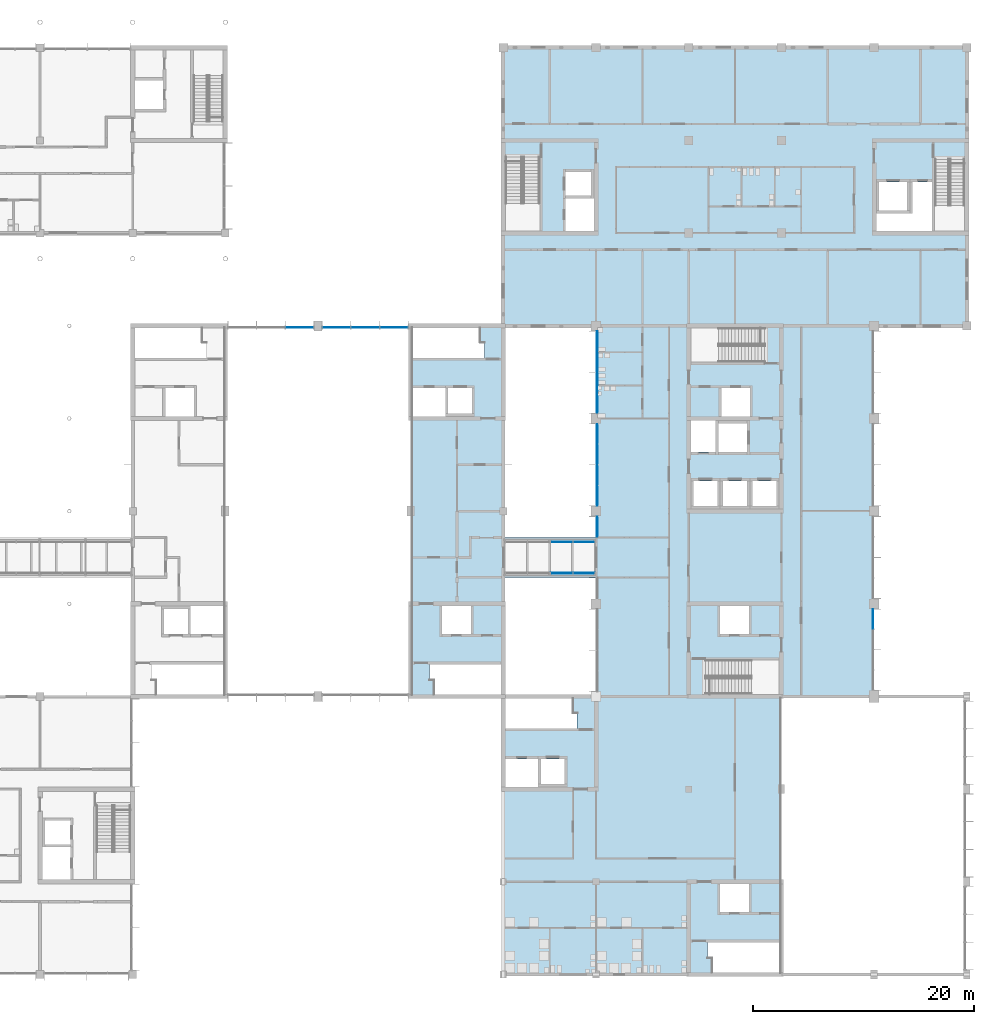
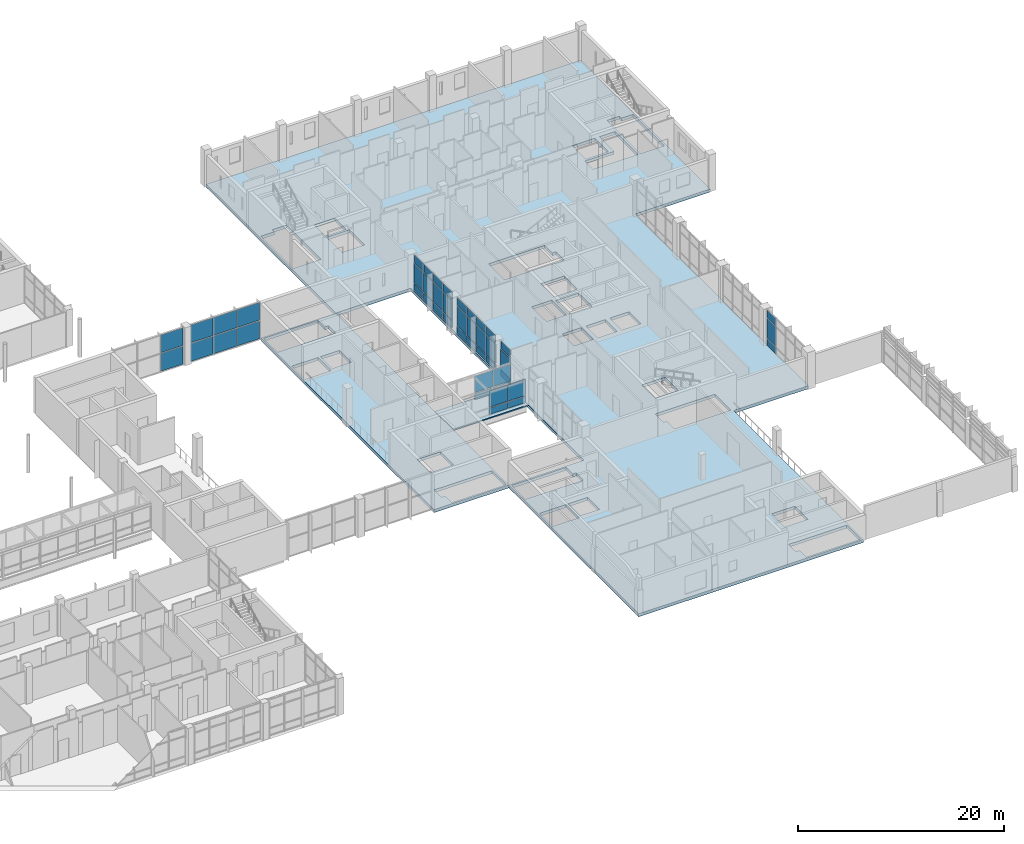
# One storey, part 28 of 70: 46 plates, 3 slabs, 8 elements without a shape of their own.
"""IFC4 building model written with IfcOpenShell, lengths in metres."""

import ifcopenshell
import ifcopenshell.guid

model = None  # the IFC model being written
_history = None  # IfcOwnerHistory: only IFC2X3 demands one
_inside = {}  # id of a spatial element -> (the spatial element, [elements in it])
_under = {}  # id of a project, library or spatial element -> (it, [spatial elements below it])
_declared = {}  # id of a project -> (the project, [libraries it declares])
_typed = {}  # id of a type object -> (the type object, [elements of that type])
_made_of = {}  # id of a material, layer set ... -> (it, [elements and type objects made of it])


def new_model(schema):
    """Start an empty IFC model of exactly this schema.

    Asked for "IFC4X3", IfcOpenShell would pick the latest addendum, in which some entities
    have other attributes; the version numbers below select the first issue.
    IFC2X3 requires an IfcOwnerHistory on every rooted entity: one is made here for all.
    """
    global model, _history
    if schema == "IFC4X3":
        model = ifcopenshell.file(schema_version=(4, 3, 0, 0))
    else:
        model = ifcopenshell.file(schema=schema)
    _inside.clear()
    _under.clear()
    _declared.clear()
    _typed.clear()
    _made_of.clear()
    _history = None
    if model.schema == "IFC2X3":
        org = make("IfcOrganization", Name="unknown")
        user = make(
            "IfcPersonAndOrganization",
            ThePerson=make("IfcPerson", FamilyName="unknown"),
            TheOrganization=org,
        )
        app = make(
            "IfcApplication",
            ApplicationDeveloper=org,
            Version="unknown",
            ApplicationFullName="unknown",
            ApplicationIdentifier="unknown",
        )
        _history = make(
            "IfcOwnerHistory",
            OwningUser=user,
            OwningApplication=app,
            ChangeAction="ADDED",
            CreationDate=0,
        )
    return model


def make(cls, **values):
    """One entity of the class cls with the attributes given. An attribute that is None is left unset."""
    return model.create_entity(
        cls, **{name: value for name, value in values.items() if value is not None}
    )


def rooted(cls, **values):
    """An entity with a GlobalId (a new one), such as an element, a storey or a relation."""
    return make(cls, GlobalId=ifcopenshell.guid.new(), OwnerHistory=_history, **values)


def si_unit(unit_type, name, prefix=None):
    """IfcSIUnit, for example si_unit("LENGTHUNIT", "METRE", prefix="MILLI")."""
    return make("IfcSIUnit", UnitType=unit_type, Prefix=prefix, Name=name)


def assignment(units):
    """IfcUnitAssignment: the units of a project."""
    return None if units is None else make("IfcUnitAssignment", Units=units)


def point(xyz):
    """IfcCartesianPoint."""
    return None if xyz is None else make("IfcCartesianPoint", Coordinates=xyz)


def direction(xyz):
    """IfcDirection."""
    return None if xyz is None else make("IfcDirection", DirectionRatios=xyz)


def frame(location, z_axis=None, x_axis=None):
    """IfcAxis2Placement3D, a coordinate frame: its origin and axes. An axis left out is left unset."""
    return make(
        "IfcAxis2Placement3D",
        Location=point(location),
        Axis=direction(z_axis),
        RefDirection=direction(x_axis),
    )


def frame_2d(location, x_axis=None):
    """IfcAxis2Placement2D, a coordinate frame in the plane: its origin and x axis."""
    return make(
        "IfcAxis2Placement2D", Location=point(location), RefDirection=direction(x_axis)
    )


def origin():
    """The frame at (0, 0, 0) with its axes left unset."""
    return frame((0.0, 0.0, 0.0))


def origin_2d():
    """The frame at (0, 0) in the plane with its x axis left unset."""
    return frame_2d((0.0, 0.0))


def place(relative_to, where):
    """IfcLocalPlacement: puts the frame where relative to a parent placement (None: the world)."""
    return make(
        "IfcLocalPlacement", PlacementRelTo=relative_to, RelativePlacement=where
    )


def context(
    kind, dimensions, precision=None, world=None, true_north=None, identifier=None
):
    """IfcGeometricRepresentationContext, for example the 3D "Model" context."""
    return make(
        "IfcGeometricRepresentationContext",
        ContextIdentifier=identifier,
        ContextType=kind,
        CoordinateSpaceDimension=dimensions,
        Precision=precision,
        WorldCoordinateSystem=world,
        TrueNorth=true_north,
    )


def subcontext(parent, identifier, kind, view, scale=None):
    """IfcGeometricRepresentationSubContext, for example "Body" below "Model"."""
    return make(
        "IfcGeometricRepresentationSubContext",
        ContextIdentifier=identifier,
        ContextType=kind,
        ParentContext=parent,
        TargetScale=scale,
        TargetView=view,
    )


def project(units=None, contexts=None):
    """IfcProject with its units and contexts."""
    return rooted(
        "IfcProject",
        Name="project",
        RepresentationContexts=contexts,
        UnitsInContext=assignment(units),
    )


def spatial(cls, under=None, at=None, **own):
    """A site, building, storey or space (cls), placed at a placement, below another one or the project."""
    s = rooted(cls, ObjectPlacement=at, **own)
    if under is not None:
        _under.setdefault(under.id(), (under, []))[1].append(s)
    return s


def polyline(points):
    """IfcPolyline through the points."""
    return make("IfcPolyline", Points=[point(p) for p in points])


def profile(cls, at=None, kind="AREA", **sizes):
    """A parametric profile (cls). Its sizes go by their IFC names, for example OverallWidth=200.0."""
    return make(cls, ProfileType=kind, Position=at, **sizes)


def rectangle(**sizes):
    """IfcRectangleProfileDef."""
    return profile("IfcRectangleProfileDef", **sizes)


def outline(outer, holes=None, kind="AREA"):
    """IfcArbitraryClosedProfileDef: a profile drawn as a closed curve; with holes, ...WithVoids."""
    if holes is None:
        return make("IfcArbitraryClosedProfileDef", ProfileType=kind, OuterCurve=outer)
    return make(
        "IfcArbitraryProfileDefWithVoids",
        ProfileType=kind,
        OuterCurve=outer,
        InnerCurves=holes,
    )


def extrude(swept, where, along, depth):
    """IfcExtrudedAreaSolid: the profile swept, set in the frame where, extruded along a direction by depth."""
    return make(
        "IfcExtrudedAreaSolid",
        SweptArea=swept,
        Position=where,
        ExtrudedDirection=direction(along),
        Depth=depth,
    )


def shape(context_of_items, identifier, shape_type, items):
    """IfcShapeRepresentation: the items that make up one representation, for example the "Body"."""
    return make(
        "IfcShapeRepresentation",
        ContextOfItems=context_of_items,
        RepresentationIdentifier=identifier,
        RepresentationType=shape_type,
        Items=items,
    )


def material(Name=None, Category=None):
    """IfcMaterial."""
    return make("IfcMaterial", Name=Name, Category=Category)


def layer(
    of_material, thickness, ventilated=None, Name=None, Category=None, Priority=None
):
    """IfcMaterialLayer: one layer of a wall or slab, of a material (None: an air gap)."""
    return make(
        "IfcMaterialLayer",
        Material=of_material,
        LayerThickness=thickness,
        IsVentilated=ventilated,
        Name=Name,
        Category=Category,
        Priority=Priority,
    )


def layer_set(layers, Name=None):
    """IfcMaterialLayerSet."""
    return make("IfcMaterialLayerSet", MaterialLayers=layers, LayerSetName=Name)


def made_of(thing, what):
    """Note that an element or type object is made of a material, layer set ...; save() writes the relation."""
    if what is not None:
        _made_of.setdefault(what.id(), (what, []))[1].append(thing)
    return thing


def type_object(cls, material=None, **own):
    """A type object (cls), such as IfcWallType, which elements share."""
    return made_of(rooted(cls, **own), material)


def element(
    cls,
    number,
    at=None,
    inside=None,
    cuts=None,
    type_object=None,
    material=None,
    context=None,
    identifier="Body",
    shape_type=None,
    held_by="IfcProductDefinitionShape",
    body=None,
    shapes=None,
    **own,
):
    """One element of the class cls, such as IfcWall. Its Tag is "e" and its number.

    at: its placement. inside: the storey or other place that contains it. cuts: it is an
    opening in that element (IfcRelVoidsElement). A single representation is given by context,
    identifier, shape_type and body (its items); several are given by shapes. held_by: the class
    of the entity that holds the representations. save() writes the other relations.
    """
    e = rooted(cls, Tag="e%d" % number, ObjectPlacement=at, **own)
    if body is not None:
        shapes = [shape(context, identifier, shape_type, body)]
    if shapes is not None:
        e.Representation = make(held_by, Representations=shapes)
    if inside is not None:
        _inside.setdefault(inside.id(), (inside, []))[1].append(e)
    if cuts is not None:
        rooted(
            "IfcRelVoidsElement", RelatingBuildingElement=cuts, RelatedOpeningElement=e
        )
    if type_object is not None:
        _typed.setdefault(type_object.id(), (type_object, []))[1].append(e)
    return made_of(e, material)


def aggregate(whole, parts):
    """IfcRelAggregates: a whole, such as a stair, and the parts it consists of."""
    return rooted("IfcRelAggregates", RelatingObject=whole, RelatedObjects=parts)


def save(model, path):
    """Write the relations noted so far, then the file.

    IfcRelAggregates (storeys below a building ...), IfcRelContainedInSpatialStructure (elements
    in a storey), IfcRelDefinesByType, IfcRelAssociatesMaterial and IfcRelDeclares: one each for
    every whole, place, type object, material and project.
    """
    for whole, parts in _under.values():
        aggregate(whole, parts)
    for where, things in _inside.values():
        rooted(
            "IfcRelContainedInSpatialStructure",
            RelatedElements=things,
            RelatingStructure=where,
        )
    for kind, things in _typed.values():
        rooted("IfcRelDefinesByType", RelatedObjects=things, RelatingType=kind)
    for what, things in _made_of.values():
        rooted("IfcRelAssociatesMaterial", RelatedObjects=things, RelatingMaterial=what)
    for by, libraries in _declared.values():
        rooted("IfcRelDeclares", RelatingContext=by, RelatedDefinitions=libraries)
    model.write(path)


model = new_model("IFC4")

# Units and contexts
model_context = context("Model", 3, precision=1e-05, world=origin(), true_north=direction((0.0, 1.0)))
body_context = subcontext(model_context, "Body", "Model", "MODEL_VIEW")
ifc_project = project(units=[si_unit("LENGTHUNIT", "METRE"), si_unit("AREAUNIT", "SQUARE_METRE"), si_unit("VOLUMEUNIT", "CUBIC_METRE"), si_unit("PLANEANGLEUNIT", "RADIAN"), si_unit("MASSUNIT", "GRAM", prefix="KILO")], contexts=[model_context])

# Site, building, storey
site_placement = place(None, origin())
site = spatial("IfcSite", under=ifc_project, at=site_placement, CompositionType="ELEMENT")
building_placement = place(site_placement, origin())
building = spatial("IfcBuilding", under=site, at=building_placement, Name="Hlaing Beacon Police Headquarters", CompositionType="ELEMENT")
storey_placement = place(building_placement, frame((0.0, 0.0, 5.39990234375)))
storey = spatial("IfcBuildingStorey", under=building, at=storey_placement, Name="L01", CompositionType="ELEMENT", Elevation=5.39990234375)

# Curtain wall, plate
ifc_material_1 = material(Name="Aluminium frame with solar control glazing", Category="aluminium")
curtain_wall_type_1 = type_object("IfcCurtainWallType", Name="Unitised curtain wall 7.40 x 4.37", PredefinedType="NOTDEFINED", material=ifc_material_1)
curtain_wall_1_placement = place(storey_placement, origin())
curtain_wall_1 = element("IfcCurtainWall", 1, at=curtain_wall_1_placement, inside=storey, type_object=curtain_wall_type_1, Name="ENV-CW-L01-E019", PredefinedType="NOTDEFINED")
ifc_material_2 = material(Name="Solar control glazing", Category="glass")
ifc_layer_1 = layer(ifc_material_2, 0.0439453125)
ifc_layer_set_1 = layer_set([ifc_layer_1], Name="Solar control glazing")
plate_type_1 = type_object("IfcPlateType", Name="Clear glazing panel 44", PredefinedType="CURTAIN_PANEL", material=ifc_layer_set_1)
plate_1_placement = place(storey_placement, frame((125.89990234375, 40.610107421875, 0.9501953125), z_axis=(0.0, 0.0, 1.0), x_axis=(0.0, 1.0, 0.0)))
plate_1 = element("IfcPlate", 2, at=plate_1_placement, type_object=plate_type_1, Name="CW-L01-E019 panel 4.2", PredefinedType="CURTAIN_PANEL", context=body_context, shape_type="SweptSolid", body=[
    extrude(rectangle(XDim=1.760009765625, YDim=0.0439453125, at=origin_2d()), origin(), (0.0, 0.0, 1.0), 2.300048828125),
])

# Curtain wall, plates
ifc_material_3 = material(Name="Aluminium frame with solar control glazing", Category="aluminium")
curtain_wall_type_2 = type_object("IfcCurtainWallType", Name="Unitised curtain wall 7.50 x 4.37", PredefinedType="NOTDEFINED", material=ifc_material_3)
curtain_wall_2_placement = place(storey_placement, origin())
curtain_wall_2 = element("IfcCurtainWall", 3, at=curtain_wall_2_placement, inside=storey, type_object=curtain_wall_type_2, Name="ENV-CW-L01-W023", PredefinedType="NOTDEFINED")
plate_2_placement = place(storey_placement, frame((100.89990234375, 63.9375, 0.9501953125), z_axis=(0.0, 0.0, 1.0), x_axis=(0.0, -1.0, 0.0)))
plate_2 = element("IfcPlate", 4, at=plate_2_placement, type_object=plate_type_1, Name="CW-L01-W023 panel 2.2", PredefinedType="CURTAIN_PANEL", context=body_context, shape_type="SweptSolid", body=[
    extrude(rectangle(XDim=1.81494140625, YDim=0.0439453125, at=origin_2d()), origin(), (0.0, 0.0, 1.0), 2.300048828125),
])
plate_3_placement = place(storey_placement, frame((100.89990234375, 60.202392578125, 0.9501953125), z_axis=(0.0, 0.0, 1.0), x_axis=(0.0, -1.0, 0.0)))
plate_3 = element("IfcPlate", 5, at=plate_3_placement, type_object=plate_type_1, Name="CW-L01-W023 panel 4.2", PredefinedType="CURTAIN_PANEL", context=body_context, shape_type="SweptSolid", body=[
    extrude(rectangle(XDim=1.784912109375, YDim=0.0439453125, at=origin_2d()), origin(), (0.0, 0.0, 1.0), 2.300048828125),
])

curtain_wall_3_placement = place(storey_placement, origin())
curtain_wall_3 = element("IfcCurtainWall", 6, at=curtain_wall_3_placement, inside=storey, type_object=curtain_wall_type_2, Name="ENV-CW-L01-W024", PredefinedType="NOTDEFINED")
plate_4_placement = place(storey_placement, frame((100.89990234375, 55.53759765625, 0.9501953125), z_axis=(0.0, 0.0, 1.0), x_axis=(0.0, -1.0, 0.0)))
plate_4 = element("IfcPlate", 7, at=plate_4_placement, type_object=plate_type_1, Name="CW-L01-W024 panel 2.2", PredefinedType="CURTAIN_PANEL", context=body_context, shape_type="SweptSolid", body=[
    extrude(rectangle(XDim=1.81494140625, YDim=0.0439453125, at=origin_2d()), origin(), (0.0, 0.0, 1.0), 2.300048828125),
])
plate_5_placement = place(storey_placement, frame((100.89990234375, 51.802490234375, 0.9501953125), z_axis=(0.0, 0.0, 1.0), x_axis=(0.0, -1.0, 0.0)))
plate_5 = element("IfcPlate", 8, at=plate_5_placement, type_object=plate_type_1, Name="CW-L01-W024 panel 4.2", PredefinedType="CURTAIN_PANEL", context=body_context, shape_type="SweptSolid", body=[
    extrude(rectangle(XDim=1.784912109375, YDim=0.0439453125, at=origin_2d()), origin(), (0.0, 0.0, 1.0), 2.300048828125),
])

ifc_material_4 = material(Name="Aluminium frame with solar control glazing", Category="aluminium")
curtain_wall_type_3 = type_object("IfcCurtainWallType", Name="Unitised curtain wall 8.20 x 3.00", PredefinedType="NOTDEFINED", material=ifc_material_4)
curtain_wall_4_placement = place(storey_placement, origin())
curtain_wall_4 = element("IfcCurtainWall", 9, at=curtain_wall_4_placement, inside=storey, type_object=curtain_wall_type_3, Name="ENV-BG-BR2-A-34", PredefinedType="NOTDEFINED")
plate_6_placement = place(storey_placement, frame((97.675048828125, 44.776123046875, 0.9501953125), z_axis=(0.0, 0.0, 1.0), x_axis=(1.0, 0.0, 0.0)))
plate_6 = element("IfcPlate", 10, at=plate_6_placement, type_object=plate_type_1, Name="BG-BR2-A-34 panel 3.2", PredefinedType="CURTAIN_PANEL", context=body_context, shape_type="SweptSolid", body=[
    extrude(rectangle(XDim=1.989990234375, YDim=0.0439453125, at=origin_2d()), origin(), (0.0, 0.0, 1.0), 1.949951171875),
])
plate_7_placement = place(storey_placement, frame((99.7099609375, 44.776123046875, 0.9501953125), z_axis=(0.0, 0.0, 1.0), x_axis=(1.0, 0.0, 0.0)))
plate_7 = element("IfcPlate", 11, at=plate_7_placement, type_object=plate_type_1, Name="BG-BR2-A-34 panel 4.2", PredefinedType="CURTAIN_PANEL", context=body_context, shape_type="SweptSolid", body=[
    extrude(rectangle(XDim=1.9599609375, YDim=0.0439453125, at=origin_2d()), origin(), (0.0, 0.0, 1.0), 1.949951171875),
])

curtain_wall_5_placement = place(storey_placement, origin())
curtain_wall_5 = element("IfcCurtainWall", 12, at=curtain_wall_5_placement, inside=storey, type_object=curtain_wall_type_3, Name="ENV-BG-BR2-B-35", PredefinedType="NOTDEFINED")
plate_8_placement = place(storey_placement, frame((97.675048828125, 47.623779296875, 0.9501953125), z_axis=(0.0, 0.0, 1.0), x_axis=(1.0, 0.0, 0.0)))
plate_8 = element("IfcPlate", 13, at=plate_8_placement, type_object=plate_type_1, Name="BG-BR2-B-35 panel 3.2", PredefinedType="CURTAIN_PANEL", context=body_context, shape_type="SweptSolid", body=[
    extrude(rectangle(XDim=1.989990234375, YDim=0.0439453125, at=origin_2d()), origin(), (0.0, 0.0, 1.0), 1.949951171875),
])
plate_9_placement = place(storey_placement, frame((99.7099609375, 47.623779296875, 0.9501953125), z_axis=(0.0, 0.0, 1.0), x_axis=(1.0, 0.0, 0.0)))
plate_9 = element("IfcPlate", 14, at=plate_9_placement, type_object=plate_type_1, Name="BG-BR2-B-35 panel 4.2", PredefinedType="CURTAIN_PANEL", context=body_context, shape_type="SweptSolid", body=[
    extrude(rectangle(XDim=1.9599609375, YDim=0.0439453125, at=origin_2d()), origin(), (0.0, 0.0, 1.0), 1.949951171875),
])

# Slabs
ifc_material_5 = material(Name="Concrete C40/50", Category="concrete")
ifc_layer_2 = layer(ifc_material_5, 0.1298828125)
ifc_layer_set_2 = layer_set([ifc_layer_2], Name="Concrete C40/50")
slab_type_1 = type_object("IfcSlabType", Name="Composite deck slab 130", PredefinedType="FLOOR", material=ifc_layer_set_2)
slab_1_placement = place(storey_placement, frame((0.0, 0.0, -0.1298828125)))
element("IfcSlab", 15, at=slab_1_placement, inside=storey, type_object=slab_type_1, Name="STR-BG-BR2-DECK", PredefinedType="FLOOR", context=body_context, shape_type="SweptSolid", body=[
    extrude(outline(polyline([(92.39990234375, 44.39990234375), (100.800048828125, 44.39990234375), (100.800048828125, 48.0), (92.39990234375, 48.0), (92.39990234375, 44.39990234375)])), origin(), (0.0, 0.0, 1.0), 0.1298828125),
])
ifc_material_6 = material(Name="Concrete C50/60", Category="concrete")
ifc_layer_3 = layer(ifc_material_6, 0.35009765625)
ifc_layer_set_3 = layer_set([ifc_layer_3], Name="Concrete C50/60")
slab_type_2 = type_object("IfcSlabType", Name="Flat slab 350", PredefinedType="FLOOR", material=ifc_layer_set_3)
slab_2_placement = place(storey_placement, frame((0.0, 0.0, -0.349853515625)))
element("IfcSlab", 16, at=slab_2_placement, inside=storey, type_object=slab_type_2, Name="STR-SLAB-L01-02", PredefinedType="FLOOR", context=body_context, shape_type="SweptSolid", body=[
    extrude(outline(polyline([(92.39990234375, 8.39990234375), (117.60009765625, 8.39990234375), (117.60009765625, 33.60009765625), (126.0, 33.60009765625), (126.0, 67.199951171875), (134.39990234375, 67.199951171875), (134.39990234375, 92.39990234375), (92.39990234375, 92.39990234375), (92.39990234375, 67.199951171875), (100.800048828125, 67.199951171875), (100.800048828125, 33.60009765625), (92.39990234375, 33.60009765625), (92.39990234375, 8.39990234375)]), holes=[polyline([(92.60009765625, 25.39990234375), (95.550048828125, 25.39990234375), (95.550048828125, 27.949951171875), (92.60009765625, 27.949951171875), (92.60009765625, 25.39990234375)]), polyline([(92.60009765625, 30.699951171875), (99.090087890625, 30.699951171875), (99.090087890625, 32.10009765625), (98.699951171875, 32.10009765625), (98.699951171875, 33.39990234375), (92.60009765625, 33.39990234375), (92.60009765625, 30.699951171875)]), polyline([(92.60009765625, 75.800048828125), (95.699951171875, 75.800048828125), (95.699951171875, 82.489990234375), (94.10009765625, 82.489990234375), (94.10009765625, 82.10009765625), (92.60009765625, 82.10009765625), (92.60009765625, 75.800048828125)]), polyline([(95.800048828125, 25.64990234375), (97.949951171875, 25.64990234375), (97.949951171875, 27.949951171875), (95.800048828125, 27.949951171875), (95.800048828125, 25.64990234375)]), polyline([(98.050048828125, 75.800048828125), (100.60009765625, 75.800048828125), (100.60009765625, 78.75), (98.050048828125, 78.75), (98.050048828125, 75.800048828125)]), polyline([(98.050048828125, 79.0), (100.35009765625, 79.0), (100.35009765625, 81.14990234375), (98.050048828125, 81.14990234375), (98.050048828125, 79.0)]), polyline([(109.39990234375, 55.75), (111.64990234375, 55.75), (111.64990234375, 58.60009765625), (109.39990234375, 58.60009765625), (109.39990234375, 55.75)]), polyline([(109.39990234375, 63.89990234375), (116.090087890625, 63.89990234375), (116.090087890625, 65.5), (115.699951171875, 65.5), (115.699951171875, 67.0), (109.39990234375, 67.0), (109.39990234375, 63.89990234375)]), polyline([(109.64990234375, 50.85009765625), (111.800048828125, 50.85009765625), (111.800048828125, 53.14990234375), (109.64990234375, 53.14990234375), (109.64990234375, 50.85009765625)]), polyline([(111.10009765625, 33.800048828125), (117.39990234375, 33.800048828125), (117.39990234375, 36.89990234375), (110.7099609375, 36.89990234375), (110.7099609375, 35.300048828125), (111.10009765625, 35.300048828125), (111.10009765625, 33.800048828125)]), polyline([(111.300048828125, 8.60009765625), (117.39990234375, 8.60009765625), (117.39990234375, 11.300048828125), (110.909912109375, 11.300048828125), (110.909912109375, 9.89990234375), (111.300048828125, 9.89990234375), (111.300048828125, 8.60009765625)]), polyline([(111.89990234375, 55.75), (114.5, 55.75), (114.5, 58.35009765625), (111.89990234375, 58.35009765625), (111.89990234375, 55.75)]), polyline([(112.050048828125, 14.050048828125), (114.64990234375, 14.050048828125), (114.64990234375, 16.60009765625), (112.050048828125, 16.60009765625), (112.050048828125, 14.050048828125)]), polyline([(112.050048828125, 39.25), (114.64990234375, 39.25), (114.64990234375, 41.800048828125), (112.050048828125, 41.800048828125), (112.050048828125, 39.25)]), polyline([(112.14990234375, 59.0), (114.75, 59.0), (114.75, 61.550048828125), (112.14990234375, 61.550048828125), (112.14990234375, 59.0)]), polyline([(112.300048828125, 50.85009765625), (114.5, 50.85009765625), (114.5, 53.14990234375), (112.300048828125, 53.14990234375), (112.300048828125, 50.85009765625)]), polyline([(115.0, 50.85009765625), (117.14990234375, 50.85009765625), (117.14990234375, 53.14990234375), (115.0, 53.14990234375), (115.0, 50.85009765625)]), polyline([(126.199951171875, 75.800048828125), (131.25, 75.800048828125), (131.25, 80.25), (129.5, 80.25), (129.5, 77.39990234375), (126.199951171875, 77.39990234375), (126.199951171875, 75.800048828125)]), polyline([(126.449951171875, 77.64990234375), (129.0, 77.64990234375), (129.0, 80.25), (126.449951171875, 80.25), (126.449951171875, 77.64990234375)]), polyline([(131.5, 75.800048828125), (134.199951171875, 75.800048828125), (134.199951171875, 81.89990234375), (132.89990234375, 81.89990234375), (132.89990234375, 82.2900390625), (131.5, 82.2900390625), (131.5, 75.800048828125)])]), origin(), (0.0, 0.0, 1.0), 0.349853515625),
])
slab_3_placement = place(storey_placement, frame((0.0, 0.0, -0.349853515625)))
element("IfcSlab", 17, at=slab_3_placement, inside=storey, type_object=slab_type_2, Name="STR-SLAB-L01-04", PredefinedType="FLOOR", context=body_context, shape_type="SweptSolid", body=[
    extrude(outline(polyline([(84.0, 33.60009765625), (92.39990234375, 33.60009765625), (92.39990234375, 67.199951171875), (84.0, 67.199951171875), (84.0, 33.60009765625)]), holes=[polyline([(84.199951171875, 59.0), (87.14990234375, 59.0), (87.14990234375, 61.550048828125), (84.199951171875, 61.550048828125), (84.199951171875, 59.0)]), polyline([(84.199951171875, 64.300048828125), (90.68994140625, 64.300048828125), (90.68994140625, 65.699951171875), (90.300048828125, 65.699951171875), (90.300048828125, 67.0), (84.199951171875, 67.0), (84.199951171875, 64.300048828125)]), polyline([(86.10009765625, 33.800048828125), (92.199951171875, 33.800048828125), (92.199951171875, 36.5), (85.7099609375, 36.5), (85.7099609375, 35.10009765625), (86.10009765625, 35.10009765625), (86.10009765625, 33.800048828125)]), polyline([(86.85009765625, 39.25), (89.449951171875, 39.25), (89.449951171875, 41.800048828125), (86.85009765625, 41.800048828125), (86.85009765625, 39.25)]), polyline([(87.39990234375, 59.25), (89.550048828125, 59.25), (89.550048828125, 61.550048828125), (87.39990234375, 61.550048828125), (87.39990234375, 59.25)])]), origin(), (0.0, 0.0, 1.0), 0.349853515625),
])

# Plate
ifc_material_7 = material(Name="Fritted solar control glazing", Category="glass")
ifc_layer_4 = layer(ifc_material_7, 0.0439453125)
ifc_layer_set_4 = layer_set([ifc_layer_4], Name="Fritted solar control glazing")
plate_type_2 = type_object("IfcPlateType", Name="Fritted glazing panel 44", PredefinedType="CURTAIN_PANEL", material=ifc_layer_set_4)
plate_10_placement = place(storey_placement, frame((100.89990234375, 65.797607421875, 0.9501953125), z_axis=(0.0, 0.0, 1.0), x_axis=(0.0, -1.0, 0.0)))
plate_10 = element("IfcPlate", 18, at=plate_10_placement, type_object=plate_type_2, Name="CW-L01-W023 panel 1.2", PredefinedType="CURTAIN_PANEL", context=body_context, shape_type="SweptSolid", body=[
    extrude(rectangle(XDim=1.784912109375, YDim=0.0439453125, at=origin_2d()), origin(), (0.0, 0.0, 1.0), 2.300048828125),
])

plate_11_placement = place(storey_placement, frame((100.89990234375, 62.0625, 0.9501953125), z_axis=(0.0, 0.0, 1.0), x_axis=(0.0, -1.0, 0.0)))
plate_11 = element("IfcPlate", 19, at=plate_11_placement, type_object=plate_type_2, Name="CW-L01-W023 panel 3.2", PredefinedType="CURTAIN_PANEL", context=body_context, shape_type="SweptSolid", body=[
    extrude(rectangle(XDim=1.81494140625, YDim=0.0439453125, at=origin_2d()), origin(), (0.0, 0.0, 1.0), 2.300048828125),
])

plate_12_placement = place(storey_placement, frame((100.89990234375, 57.3974609375, 0.9501953125), z_axis=(0.0, 0.0, 1.0), x_axis=(0.0, -1.0, 0.0)))
plate_12 = element("IfcPlate", 20, at=plate_12_placement, type_object=plate_type_2, Name="CW-L01-W024 panel 1.2", PredefinedType="CURTAIN_PANEL", context=body_context, shape_type="SweptSolid", body=[
    extrude(rectangle(XDim=1.784912109375, YDim=0.0439453125, at=origin_2d()), origin(), (0.0, 0.0, 1.0), 2.300048828125),
])

plate_13_placement = place(storey_placement, frame((100.89990234375, 53.66259765625, 0.9501953125), z_axis=(0.0, 0.0, 1.0), x_axis=(0.0, -1.0, 0.0)))
plate_13 = element("IfcPlate", 21, at=plate_13_placement, type_object=plate_type_2, Name="CW-L01-W024 panel 3.2", PredefinedType="CURTAIN_PANEL", context=body_context, shape_type="SweptSolid", body=[
    extrude(rectangle(XDim=1.81494140625, YDim=0.0439453125, at=origin_2d()), origin(), (0.0, 0.0, 1.0), 2.300048828125),
])

# Curtain wall, plate
ifc_material_8 = material(Name="Aluminium frame with solar control glazing", Category="aluminium")
curtain_wall_type_4 = type_object("IfcCurtainWallType", Name="Unitised curtain wall 1.95 x 4.37", PredefinedType="NOTDEFINED", material=ifc_material_8)
curtain_wall_6_placement = place(storey_placement, origin())
curtain_wall_6 = element("IfcCurtainWall", 22, at=curtain_wall_6_placement, inside=storey, type_object=curtain_wall_type_4, Name="ENV-CW-L01-W025", PredefinedType="NOTDEFINED")
plate_14_placement = place(storey_placement, frame((100.89990234375, 48.97509765625, 0.9501953125), z_axis=(0.0, 0.0, 1.0), x_axis=(0.0, -1.0, 0.0)))
plate_14 = element("IfcPlate", 23, at=plate_14_placement, type_object=plate_type_2, Name="CW-L01-W025 panel 1.2", PredefinedType="CURTAIN_PANEL", context=body_context, shape_type="SweptSolid", body=[
    extrude(rectangle(XDim=1.830078125, YDim=0.0439453125, at=origin_2d()), origin(), (0.0, 0.0, 1.0), 2.300048828125),
])

# Plate
ifc_material_9 = material(Name="Insulated aluminium spandrel", Category="aluminium")
ifc_layer_5 = layer(ifc_material_9, 0.0400390625)
ifc_layer_set_5 = layer_set([ifc_layer_5], Name="Insulated aluminium spandrel")
plate_type_3 = type_object("IfcPlateType", Name="Insulated spandrel panel 40", PredefinedType="CURTAIN_PANEL", material=ifc_layer_set_5)
plate_15_placement = place(storey_placement, frame((97.675048828125, 47.623779296875, 0.10009765625), z_axis=(0.0, 0.0, 1.0), x_axis=(1.0, 0.0, 0.0)))
plate_15 = element("IfcPlate", 24, at=plate_15_placement, type_object=plate_type_3, Name="BG-BR2-B-35 panel 3.1", PredefinedType="CURTAIN_PANEL", context=body_context, shape_type="SweptSolid", body=[
    extrude(rectangle(XDim=1.989990234375, YDim=0.0400390625, at=origin_2d()), origin(), (0.0, 0.0, 1.0), 0.75),
])

plate_16_placement = place(storey_placement, frame((99.7099609375, 47.623779296875, 0.10009765625), z_axis=(0.0, 0.0, 1.0), x_axis=(1.0, 0.0, 0.0)))
plate_16 = element("IfcPlate", 25, at=plate_16_placement, type_object=plate_type_3, Name="BG-BR2-B-35 panel 4.1", PredefinedType="CURTAIN_PANEL", context=body_context, shape_type="SweptSolid", body=[
    extrude(rectangle(XDim=1.9599609375, YDim=0.0400390625, at=origin_2d()), origin(), (0.0, 0.0, 1.0), 0.75),
])

aggregate(curtain_wall_5, [plate_15, plate_8, plate_16, plate_9])

ifc_material_10 = material(Name="Insulated aluminium spandrel", Category="aluminium")
ifc_layer_6 = layer(ifc_material_10, 0.06005859375)
ifc_layer_set_6 = layer_set([ifc_layer_6], Name="Insulated aluminium spandrel")
plate_type_4 = type_object("IfcPlateType", Name="Insulated spandrel panel 60", PredefinedType="CURTAIN_PANEL", material=ifc_layer_set_6)
plate_17_placement = place(storey_placement, frame((125.89990234375, 40.610107421875, 0.10009765625), z_axis=(0.0, 0.0, 1.0), x_axis=(0.0, 1.0, 0.0)))
plate_17 = element("IfcPlate", 26, at=plate_17_placement, type_object=plate_type_4, Name="CW-L01-E019 panel 4.1", PredefinedType="CURTAIN_PANEL", context=body_context, shape_type="SweptSolid", body=[
    extrude(rectangle(XDim=1.760009765625, YDim=0.06005859375, at=origin_2d()), origin(), (0.0, 0.0, 1.0), 0.75),
])

ifc_material_11 = material(Name="Insulated aluminium spandrel", Category="aluminium")
ifc_layer_7 = layer(ifc_material_11, 0.080078125)
ifc_layer_set_7 = layer_set([ifc_layer_7], Name="Insulated aluminium spandrel")
plate_type_5 = type_object("IfcPlateType", Name="Insulated spandrel panel 80", PredefinedType="CURTAIN_PANEL", material=ifc_layer_set_7)
plate_18_placement = place(storey_placement, frame((100.89990234375, 65.797607421875, 0.10009765625), z_axis=(0.0, 0.0, 1.0), x_axis=(0.0, -1.0, 0.0)))
plate_18 = element("IfcPlate", 27, at=plate_18_placement, type_object=plate_type_5, Name="CW-L01-W023 panel 1.1", PredefinedType="CURTAIN_PANEL", context=body_context, shape_type="SweptSolid", body=[
    extrude(rectangle(XDim=1.784912109375, YDim=0.080078125, at=origin_2d()), origin(), (0.0, 0.0, 1.0), 0.75),
])

plate_19_placement = place(storey_placement, frame((100.89990234375, 63.9375, 0.10009765625), z_axis=(0.0, 0.0, 1.0), x_axis=(0.0, -1.0, 0.0)))
plate_19 = element("IfcPlate", 28, at=plate_19_placement, type_object=plate_type_5, Name="CW-L01-W023 panel 2.1", PredefinedType="CURTAIN_PANEL", context=body_context, shape_type="SweptSolid", body=[
    extrude(rectangle(XDim=1.81494140625, YDim=0.080078125, at=origin_2d()), origin(), (0.0, 0.0, 1.0), 0.75),
])

plate_20_placement = place(storey_placement, frame((100.89990234375, 62.0625, 0.10009765625), z_axis=(0.0, 0.0, 1.0), x_axis=(0.0, -1.0, 0.0)))
plate_20 = element("IfcPlate", 29, at=plate_20_placement, type_object=plate_type_5, Name="CW-L01-W023 panel 3.1", PredefinedType="CURTAIN_PANEL", context=body_context, shape_type="SweptSolid", body=[
    extrude(rectangle(XDim=1.81494140625, YDim=0.080078125, at=origin_2d()), origin(), (0.0, 0.0, 1.0), 0.75),
])

plate_21_placement = place(storey_placement, frame((100.89990234375, 60.202392578125, 0.10009765625), z_axis=(0.0, 0.0, 1.0), x_axis=(0.0, -1.0, 0.0)))
plate_21 = element("IfcPlate", 30, at=plate_21_placement, type_object=plate_type_5, Name="CW-L01-W023 panel 4.1", PredefinedType="CURTAIN_PANEL", context=body_context, shape_type="SweptSolid", body=[
    extrude(rectangle(XDim=1.784912109375, YDim=0.080078125, at=origin_2d()), origin(), (0.0, 0.0, 1.0), 0.75),
])

plate_22_placement = place(storey_placement, frame((100.89990234375, 57.3974609375, 0.10009765625), z_axis=(0.0, 0.0, 1.0), x_axis=(0.0, -1.0, 0.0)))
plate_22 = element("IfcPlate", 31, at=plate_22_placement, type_object=plate_type_5, Name="CW-L01-W024 panel 1.1", PredefinedType="CURTAIN_PANEL", context=body_context, shape_type="SweptSolid", body=[
    extrude(rectangle(XDim=1.784912109375, YDim=0.080078125, at=origin_2d()), origin(), (0.0, 0.0, 1.0), 0.75),
])

plate_23_placement = place(storey_placement, frame((100.89990234375, 55.53759765625, 0.10009765625), z_axis=(0.0, 0.0, 1.0), x_axis=(0.0, -1.0, 0.0)))
plate_23 = element("IfcPlate", 32, at=plate_23_placement, type_object=plate_type_5, Name="CW-L01-W024 panel 2.1", PredefinedType="CURTAIN_PANEL", context=body_context, shape_type="SweptSolid", body=[
    extrude(rectangle(XDim=1.81494140625, YDim=0.080078125, at=origin_2d()), origin(), (0.0, 0.0, 1.0), 0.75),
])

plate_24_placement = place(storey_placement, frame((100.89990234375, 53.66259765625, 0.10009765625), z_axis=(0.0, 0.0, 1.0), x_axis=(0.0, -1.0, 0.0)))
plate_24 = element("IfcPlate", 33, at=plate_24_placement, type_object=plate_type_5, Name="CW-L01-W024 panel 3.1", PredefinedType="CURTAIN_PANEL", context=body_context, shape_type="SweptSolid", body=[
    extrude(rectangle(XDim=1.81494140625, YDim=0.080078125, at=origin_2d()), origin(), (0.0, 0.0, 1.0), 0.75),
])

plate_25_placement = place(storey_placement, frame((100.89990234375, 51.802490234375, 0.10009765625), z_axis=(0.0, 0.0, 1.0), x_axis=(0.0, -1.0, 0.0)))
plate_25 = element("IfcPlate", 34, at=plate_25_placement, type_object=plate_type_5, Name="CW-L01-W024 panel 4.1", PredefinedType="CURTAIN_PANEL", context=body_context, shape_type="SweptSolid", body=[
    extrude(rectangle(XDim=1.784912109375, YDim=0.080078125, at=origin_2d()), origin(), (0.0, 0.0, 1.0), 0.75),
])

plate_26_placement = place(storey_placement, frame((100.89990234375, 48.97509765625, 0.10009765625), z_axis=(0.0, 0.0, 1.0), x_axis=(0.0, -1.0, 0.0)))
plate_26 = element("IfcPlate", 35, at=plate_26_placement, type_object=plate_type_5, Name="CW-L01-W025 panel 1.1", PredefinedType="CURTAIN_PANEL", context=body_context, shape_type="SweptSolid", body=[
    extrude(rectangle(XDim=1.830078125, YDim=0.080078125, at=origin_2d()), origin(), (0.0, 0.0, 1.0), 0.75),
])

plate_27_placement = place(storey_placement, frame((97.675048828125, 44.776123046875, 0.10009765625), z_axis=(0.0, 0.0, 1.0), x_axis=(1.0, 0.0, 0.0)))
plate_27 = element("IfcPlate", 36, at=plate_27_placement, type_object=plate_type_5, Name="BG-BR2-A-34 panel 3.1", PredefinedType="CURTAIN_PANEL", context=body_context, shape_type="SweptSolid", body=[
    extrude(rectangle(XDim=1.989990234375, YDim=0.080078125, at=origin_2d()), origin(), (0.0, 0.0, 1.0), 0.75),
])

plate_28_placement = place(storey_placement, frame((99.7099609375, 44.776123046875, 0.10009765625), z_axis=(0.0, 0.0, 1.0), x_axis=(1.0, 0.0, 0.0)))
plate_28 = element("IfcPlate", 37, at=plate_28_placement, type_object=plate_type_5, Name="BG-BR2-A-34 panel 4.1", PredefinedType="CURTAIN_PANEL", context=body_context, shape_type="SweptSolid", body=[
    extrude(rectangle(XDim=1.9599609375, YDim=0.080078125, at=origin_2d()), origin(), (0.0, 0.0, 1.0), 0.75),
])

aggregate(curtain_wall_4, [plate_27, plate_6, plate_28, plate_7])

# Curtain wall, plates
ifc_material_12 = material(Name="Aluminium frame with solar control glazing", Category="aluminium")
curtain_wall_type_5 = type_object("IfcCurtainWallType", Name="Structural glazed gable wall 7.85 x 4.50", PredefinedType="NOTDEFINED", material=ifc_material_12)
curtain_wall_7_placement = place(storey_placement, origin())
curtain_wall_7 = element("IfcCurtainWall", 38, at=curtain_wall_7_placement, inside=storey, type_object=curtain_wall_type_5, Name="ENV-CW-L01-N007", PredefinedType="NOTDEFINED")
ifc_material_13 = material(Name="Laminated solar control glazing", Category="glass")
ifc_layer_8 = layer(ifc_material_13, 0.0439453125)
ifc_layer_set_8 = layer_set([ifc_layer_8], Name="Laminated solar control glazing")
plate_type_6 = type_object("IfcPlateType", Name="Laminated glazing panel 44", PredefinedType="CURTAIN_PANEL", material=ifc_layer_set_8)
plate_29_placement = place(storey_placement, frame((82.4716796875, 67.050048828125, 0.10009765625), z_axis=(0.0, 0.0, 1.0), x_axis=(-1.0, 0.0, 0.0)))
plate_29 = element("IfcPlate", 39, at=plate_29_placement, type_object=plate_type_6, Name="CW-L01-N007 panel 1.1", PredefinedType="CURTAIN_PANEL", context=body_context, shape_type="SweptSolid", body=[
    extrude(rectangle(XDim=2.49658203125, YDim=0.0439453125, at=origin_2d()), origin(), (0.0, 0.0, 1.0), 2.10009765625),
])
plate_30_placement = place(storey_placement, frame((82.4716796875, 67.050048828125, 2.300048828125), z_axis=(0.0, 0.0, 1.0), x_axis=(-1.0, 0.0, 0.0)))
plate_30 = element("IfcPlate", 40, at=plate_30_placement, type_object=plate_type_6, Name="CW-L01-N007 panel 1.2", PredefinedType="CURTAIN_PANEL", context=body_context, shape_type="SweptSolid", body=[
    extrude(rectangle(XDim=2.49658203125, YDim=0.0439453125, at=origin_2d()), origin(), (0.0, 0.0, 1.0), 2.10009765625),
])
plate_31_placement = place(storey_placement, frame((79.875, 67.050048828125, 0.10009765625), z_axis=(0.0, 0.0, 1.0), x_axis=(-1.0, 0.0, 0.0)))
plate_31 = element("IfcPlate", 41, at=plate_31_placement, type_object=plate_type_6, Name="CW-L01-N007 panel 2.1", PredefinedType="CURTAIN_PANEL", context=body_context, shape_type="SweptSolid", body=[
    extrude(rectangle(XDim=2.53662109375, YDim=0.0439453125, at=origin_2d()), origin(), (0.0, 0.0, 1.0), 2.10009765625),
])
plate_32_placement = place(storey_placement, frame((79.875, 67.050048828125, 2.300048828125), z_axis=(0.0, 0.0, 1.0), x_axis=(-1.0, 0.0, 0.0)))
plate_32 = element("IfcPlate", 42, at=plate_32_placement, type_object=plate_type_6, Name="CW-L01-N007 panel 2.2", PredefinedType="CURTAIN_PANEL", context=body_context, shape_type="SweptSolid", body=[
    extrude(rectangle(XDim=2.53662109375, YDim=0.0439453125, at=origin_2d()), origin(), (0.0, 0.0, 1.0), 2.10009765625),
])
plate_33_placement = place(storey_placement, frame((77.2783203125, 67.050048828125, 0.10009765625), z_axis=(0.0, 0.0, 1.0), x_axis=(-1.0, 0.0, 0.0)))
plate_33 = element("IfcPlate", 43, at=plate_33_placement, type_object=plate_type_6, Name="CW-L01-N007 panel 3.1", PredefinedType="CURTAIN_PANEL", context=body_context, shape_type="SweptSolid", body=[
    extrude(rectangle(XDim=2.49658203125, YDim=0.0439453125, at=origin_2d()), origin(), (0.0, 0.0, 1.0), 2.10009765625),
])
plate_34_placement = place(storey_placement, frame((77.2783203125, 67.050048828125, 2.300048828125), z_axis=(0.0, 0.0, 1.0), x_axis=(-1.0, 0.0, 0.0)))
plate_34 = element("IfcPlate", 44, at=plate_34_placement, type_object=plate_type_6, Name="CW-L01-N007 panel 3.2", PredefinedType="CURTAIN_PANEL", context=body_context, shape_type="SweptSolid", body=[
    extrude(rectangle(XDim=2.49658203125, YDim=0.0439453125, at=origin_2d()), origin(), (0.0, 0.0, 1.0), 2.10009765625),
])
aggregate(curtain_wall_7, [plate_29, plate_30, plate_31, plate_32, plate_33, plate_34])

curtain_wall_8_placement = place(storey_placement, origin())
curtain_wall_8 = element("IfcCurtainWall", 45, at=curtain_wall_8_placement, inside=storey, type_object=curtain_wall_type_5, Name="ENV-CW-L01-N008", PredefinedType="NOTDEFINED")
plate_35_placement = place(storey_placement, frame((73.921630859375, 67.050048828125, 0.10009765625), z_axis=(0.0, 0.0, 1.0), x_axis=(-1.0, 0.0, 0.0)))
plate_35 = element("IfcPlate", 46, at=plate_35_placement, type_object=plate_type_6, Name="CW-L01-N008 panel 1.1", PredefinedType="CURTAIN_PANEL", context=body_context, shape_type="SweptSolid", body=[
    extrude(rectangle(XDim=2.49658203125, YDim=0.0439453125, at=origin_2d()), origin(), (0.0, 0.0, 1.0), 2.10009765625),
])
plate_36_placement = place(storey_placement, frame((73.921630859375, 67.050048828125, 2.300048828125), z_axis=(0.0, 0.0, 1.0), x_axis=(-1.0, 0.0, 0.0)))
plate_36 = element("IfcPlate", 47, at=plate_36_placement, type_object=plate_type_6, Name="CW-L01-N008 panel 1.2", PredefinedType="CURTAIN_PANEL", context=body_context, shape_type="SweptSolid", body=[
    extrude(rectangle(XDim=2.49658203125, YDim=0.0439453125, at=origin_2d()), origin(), (0.0, 0.0, 1.0), 2.10009765625),
])
aggregate(curtain_wall_8, [plate_35, plate_36])

# Plate
ifc_material_14 = material(Name="Perforated aluminium", Category="aluminium")
ifc_layer_9 = layer(ifc_material_14, 0.00390625)
ifc_layer_set_9 = layer_set([ifc_layer_9], Name="Perforated aluminium")
plate_type_7 = type_object("IfcPlateType", Name="Perforated aluminium vent panel 4", PredefinedType="CURTAIN_PANEL", material=ifc_layer_set_9)
plate_37_placement = place(storey_placement, frame((125.89990234375, 40.610107421875, 3.35009765625), z_axis=(0.0, 0.0, 1.0), x_axis=(0.0, 1.0, 0.0)))
plate_37 = element("IfcPlate", 48, at=plate_37_placement, type_object=plate_type_7, Name="CW-L01-E019 panel 4.3", PredefinedType="CURTAIN_PANEL", context=body_context, shape_type="SweptSolid", body=[
    extrude(rectangle(XDim=1.760009765625, YDim=0.00390625, at=origin_2d()), origin(), (0.0, 0.0, 1.0), 0.919921875),
])

aggregate(curtain_wall_1, [plate_17, plate_1, plate_37])

plate_38_placement = place(storey_placement, frame((100.89990234375, 65.797607421875, 3.35009765625), z_axis=(0.0, 0.0, 1.0), x_axis=(0.0, -1.0, 0.0)))
plate_38 = element("IfcPlate", 49, at=plate_38_placement, type_object=plate_type_7, Name="CW-L01-W023 panel 1.3", PredefinedType="CURTAIN_PANEL", context=body_context, shape_type="SweptSolid", body=[
    extrude(rectangle(XDim=1.784912109375, YDim=0.00390625, at=origin_2d()), origin(), (0.0, 0.0, 1.0), 0.919921875),
])

plate_39_placement = place(storey_placement, frame((100.89990234375, 63.9375, 3.35009765625), z_axis=(0.0, 0.0, 1.0), x_axis=(0.0, -1.0, 0.0)))
plate_39 = element("IfcPlate", 50, at=plate_39_placement, type_object=plate_type_7, Name="CW-L01-W023 panel 2.3", PredefinedType="CURTAIN_PANEL", context=body_context, shape_type="SweptSolid", body=[
    extrude(rectangle(XDim=1.81494140625, YDim=0.00390625, at=origin_2d()), origin(), (0.0, 0.0, 1.0), 0.919921875),
])

plate_40_placement = place(storey_placement, frame((100.89990234375, 62.0625, 3.35009765625), z_axis=(0.0, 0.0, 1.0), x_axis=(0.0, -1.0, 0.0)))
plate_40 = element("IfcPlate", 51, at=plate_40_placement, type_object=plate_type_7, Name="CW-L01-W023 panel 3.3", PredefinedType="CURTAIN_PANEL", context=body_context, shape_type="SweptSolid", body=[
    extrude(rectangle(XDim=1.81494140625, YDim=0.00390625, at=origin_2d()), origin(), (0.0, 0.0, 1.0), 0.919921875),
])

plate_41_placement = place(storey_placement, frame((100.89990234375, 60.202392578125, 3.35009765625), z_axis=(0.0, 0.0, 1.0), x_axis=(0.0, -1.0, 0.0)))
plate_41 = element("IfcPlate", 52, at=plate_41_placement, type_object=plate_type_7, Name="CW-L01-W023 panel 4.3", PredefinedType="CURTAIN_PANEL", context=body_context, shape_type="SweptSolid", body=[
    extrude(rectangle(XDim=1.784912109375, YDim=0.00390625, at=origin_2d()), origin(), (0.0, 0.0, 1.0), 0.919921875),
])

aggregate(curtain_wall_2, [plate_18, plate_10, plate_38, plate_19, plate_2, plate_39, plate_20, plate_11, plate_40, plate_21, plate_3, plate_41])

plate_42_placement = place(storey_placement, frame((100.89990234375, 57.3974609375, 3.35009765625), z_axis=(0.0, 0.0, 1.0), x_axis=(0.0, -1.0, 0.0)))
plate_42 = element("IfcPlate", 53, at=plate_42_placement, type_object=plate_type_7, Name="CW-L01-W024 panel 1.3", PredefinedType="CURTAIN_PANEL", context=body_context, shape_type="SweptSolid", body=[
    extrude(rectangle(XDim=1.784912109375, YDim=0.00390625, at=origin_2d()), origin(), (0.0, 0.0, 1.0), 0.919921875),
])

plate_43_placement = place(storey_placement, frame((100.89990234375, 55.53759765625, 3.35009765625), z_axis=(0.0, 0.0, 1.0), x_axis=(0.0, -1.0, 0.0)))
plate_43 = element("IfcPlate", 54, at=plate_43_placement, type_object=plate_type_7, Name="CW-L01-W024 panel 2.3", PredefinedType="CURTAIN_PANEL", context=body_context, shape_type="SweptSolid", body=[
    extrude(rectangle(XDim=1.81494140625, YDim=0.00390625, at=origin_2d()), origin(), (0.0, 0.0, 1.0), 0.919921875),
])

plate_44_placement = place(storey_placement, frame((100.89990234375, 53.66259765625, 3.35009765625), z_axis=(0.0, 0.0, 1.0), x_axis=(0.0, -1.0, 0.0)))
plate_44 = element("IfcPlate", 55, at=plate_44_placement, type_object=plate_type_7, Name="CW-L01-W024 panel 3.3", PredefinedType="CURTAIN_PANEL", context=body_context, shape_type="SweptSolid", body=[
    extrude(rectangle(XDim=1.81494140625, YDim=0.00390625, at=origin_2d()), origin(), (0.0, 0.0, 1.0), 0.919921875),
])

plate_45_placement = place(storey_placement, frame((100.89990234375, 51.802490234375, 3.35009765625), z_axis=(0.0, 0.0, 1.0), x_axis=(0.0, -1.0, 0.0)))
plate_45 = element("IfcPlate", 56, at=plate_45_placement, type_object=plate_type_7, Name="CW-L01-W024 panel 4.3", PredefinedType="CURTAIN_PANEL", context=body_context, shape_type="SweptSolid", body=[
    extrude(rectangle(XDim=1.784912109375, YDim=0.00390625, at=origin_2d()), origin(), (0.0, 0.0, 1.0), 0.919921875),
])

aggregate(curtain_wall_3, [plate_22, plate_12, plate_42, plate_23, plate_4, plate_43, plate_24, plate_13, plate_44, plate_25, plate_5, plate_45])

plate_46_placement = place(storey_placement, frame((100.89990234375, 48.97509765625, 3.35009765625), z_axis=(0.0, 0.0, 1.0), x_axis=(0.0, -1.0, 0.0)))
plate_46 = element("IfcPlate", 57, at=plate_46_placement, type_object=plate_type_7, Name="CW-L01-W025 panel 1.3", PredefinedType="CURTAIN_PANEL", context=body_context, shape_type="SweptSolid", body=[
    extrude(rectangle(XDim=1.830078125, YDim=0.00390625, at=origin_2d()), origin(), (0.0, 0.0, 1.0), 0.919921875),
])

aggregate(curtain_wall_6, [plate_26, plate_14, plate_46])

save(model, "model.ifc")
